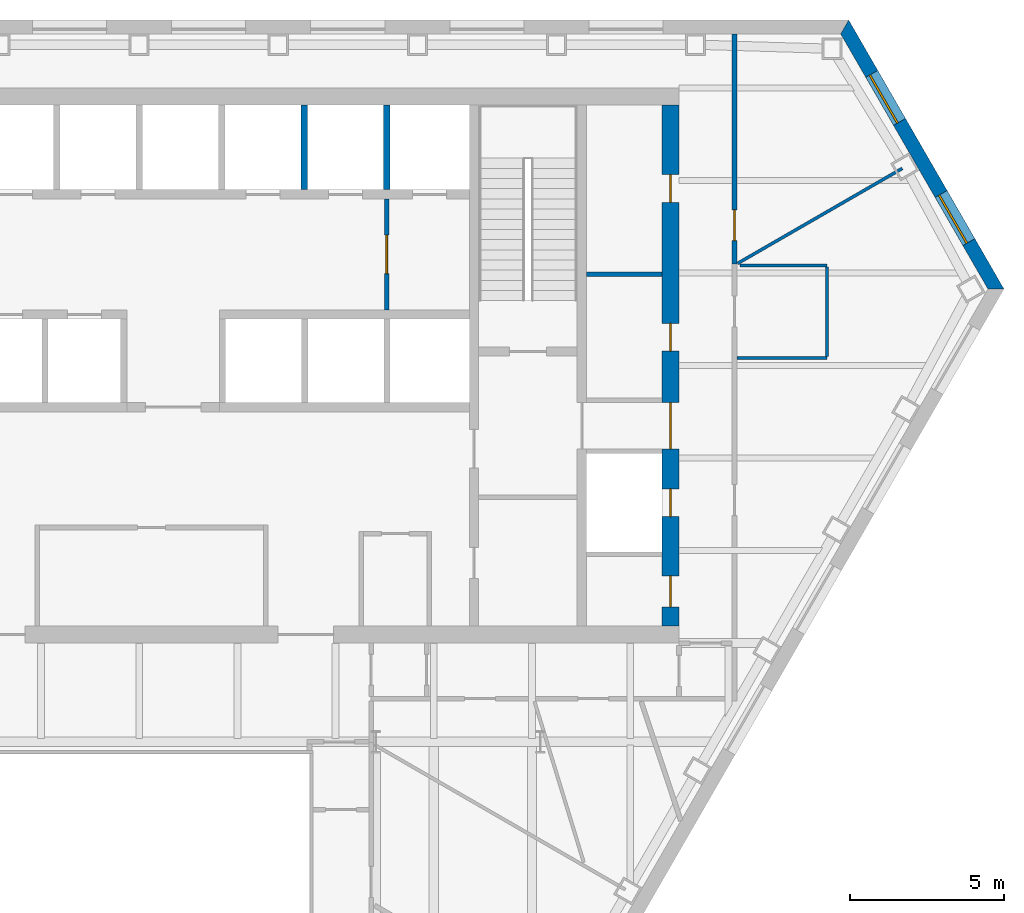
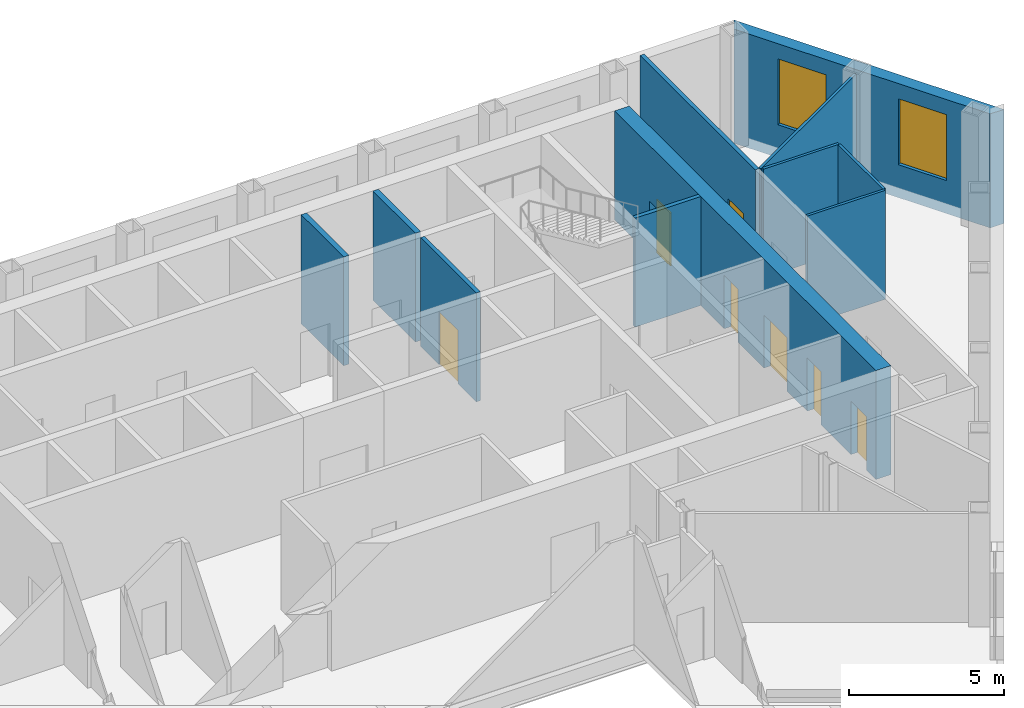
# One storey, part 8 of 11: 11 walls, 7 doors, 2 windows, 9 openings.
"""IFC4 building model written with IfcOpenShell, lengths in metres."""

from ifc_helpers import new_model, si_unit, direction, frame, frame_2d, origin, place, context, subcontext, project, spatial, polyline, rectangle, outline, extrude, material, layer, layer_set, type_object, element, fill, save


model = new_model("IFC4")

# Units and contexts
model_context = context("Model", 3, precision=1e-05, world=origin(), true_north=direction((0.0, 1.0)))
body_context = subcontext(model_context, "Body", "Model", "MODEL_VIEW")
ifc_project = project(units=[si_unit("LENGTHUNIT", "METRE"), si_unit("AREAUNIT", "SQUARE_METRE"), si_unit("VOLUMEUNIT", "CUBIC_METRE"), si_unit("PLANEANGLEUNIT", "RADIAN"), si_unit("MASSUNIT", "GRAM", prefix="KILO")], contexts=[model_context])

# Site, building, storey
site_placement = place(None, origin())
site = spatial("IfcSite", under=ifc_project, at=site_placement, CompositionType="ELEMENT")
building_placement = place(site_placement, origin())
building = spatial("IfcBuilding", under=site, at=building_placement, Name="Njiva Tower", CompositionType="ELEMENT")
storey_placement = place(building_placement, frame((0.0, 0.0, 106.8)))
storey = spatial("IfcBuildingStorey", under=building, at=storey_placement, Name="L22", CompositionType="ELEMENT", Elevation=106.8)

# Wall
ifc_material_1 = material(Name="Blockwork", Category="masonry")
ifc_layer_1 = layer(ifc_material_1, 0.15)
ifc_layer_set_1 = layer_set([ifc_layer_1], Name="Blockwork")
wall_type_1 = type_object("IfcWallType", Name="WT1 Compartment partition 150", PredefinedType="PARTITIONING", material=ifc_layer_set_1)
wall_1_placement = place(storey_placement, frame((14.5, 11.9527, 0.0), z_axis=(0.0, 0.0, 1.0), x_axis=(1.0, 0.0, 0.0)))
element("IfcWall", 1, at=wall_1_placement, inside=storey, type_object=wall_type_1, Name="Partition strip E10", PredefinedType="PARTITIONING", context=body_context, shape_type="SweptSolid", body=[
    extrude(rectangle(XDim=2.45, YDim=0.15, at=frame_2d((1.225, 0.0))), origin(), (0.0, 0.0, 1.0), 4.3),
])

# Wall, openings, doors
ifc_material_2 = material(Name="Concrete C60/75", Category="concrete")
ifc_layer_2 = layer(ifc_material_2, 0.55)
ifc_layer_set_2 = layer_set([ifc_layer_2], Name="Concrete C60/75")
wall_type_2 = type_object("IfcWallType", Name="WT14 Core wall 550", PredefinedType="SHEAR", material=ifc_layer_set_2)
wall_2_placement = place(storey_placement, frame((17.225, 0.55, 0.0), z_axis=(0.0, 0.0, 1.0), x_axis=(0.0, 1.0, 0.0)))
wall_2 = element("IfcWall", 2, at=wall_2_placement, inside=storey, type_object=wall_type_2, Name="Core wall east", PredefinedType="SHEAR", context=body_context, shape_type="SweptSolid", body=[
    extrude(rectangle(XDim=16.9, YDim=0.55, at=frame_2d((8.45, 0.0))), origin(), (0.0, 0.0, 1.0), 4.3),
])
opening_1_placement = place(wall_2_placement, frame((5.75, 0.0, 0.0)))
opening_1 = element("IfcOpeningElement", 3, at=opening_1_placement, cuts=wall_2, Name="Opening S07-D927", PredefinedType="OPENING", context=body_context, shape_type="SweptSolid", body=[
    extrude(rectangle(XDim=1.5, YDim=2.1, at=frame_2d((0.75, 1.05))), frame((0.0, 0.285, 0.0), z_axis=(0.0, -1.0, 0.0), x_axis=(1.0, 0.0, 0.0)), (0.0, 0.0, 1.0), 0.57),
])
opening_2_placement = place(wall_2_placement, frame((0.628, 0.0, 0.0)))
opening_2 = element("IfcOpeningElement", 4, at=opening_2_placement, cuts=wall_2, Name="Opening S07-D928", PredefinedType="OPENING", context=body_context, shape_type="SweptSolid", body=[
    extrude(rectangle(XDim=1.0, YDim=2.1, at=frame_2d((0.5, 1.05))), frame((0.0, 0.285, 0.0), z_axis=(0.0, -1.0, 0.0), x_axis=(1.0, 0.0, 0.0)), (0.0, 0.0, 1.0), 0.57),
])
opening_3_placement = place(wall_2_placement, frame((3.553, 0.0, 0.0)))
opening_3 = element("IfcOpeningElement", 5, at=opening_3_placement, cuts=wall_2, Name="Opening S07-D929", PredefinedType="OPENING", context=body_context, shape_type="SweptSolid", body=[
    extrude(rectangle(XDim=0.9, YDim=2.1, at=frame_2d((0.45, 1.05))), frame((0.0, 0.285, 0.0), z_axis=(0.0, -1.0, 0.0), x_axis=(1.0, 0.0, 0.0)), (0.0, 0.0, 1.0), 0.57),
])
opening_4_placement = place(wall_2_placement, frame((8.9139, 0.0, 0.0)))
opening_4 = element("IfcOpeningElement", 6, at=opening_4_placement, cuts=wall_2, Name="Opening S07-D930", PredefinedType="OPENING", context=body_context, shape_type="SweptSolid", body=[
    extrude(rectangle(XDim=0.9, YDim=2.1, at=frame_2d((0.45, 1.05))), frame((0.0, 0.285, 0.0), z_axis=(0.0, -1.0, 0.0), x_axis=(1.0, 0.0, 0.0)), (0.0, 0.0, 1.0), 0.57),
])
opening_5_placement = place(wall_2_placement, frame((13.7389, 0.0, 0.0)))
opening_5 = element("IfcOpeningElement", 7, at=opening_5_placement, cuts=wall_2, Name="Opening S07-D931", PredefinedType="OPENING", context=body_context, shape_type="SweptSolid", body=[
    extrude(rectangle(XDim=0.9, YDim=2.1, at=frame_2d((0.45, 1.05))), frame((0.0, 0.285, 0.0), z_axis=(0.0, -1.0, 0.0), x_axis=(1.0, 0.0, 0.0)), (0.0, 0.0, 1.0), 0.57),
])
ifc_material_3 = material(Name="Glazed steel fire door", Category="steel")
door_type_1 = type_object("IfcDoorType", Name="D10 Exit door double 1500x2100 glazed", OperationType="DOUBLE_DOOR_SINGLE_SWING", PredefinedType="DOOR", material=ifc_material_3)
door_1_placement = place(opening_1_placement, origin())
door_1 = element("IfcDoor", 8, at=door_1_placement, inside=storey, type_object=door_type_1, Name="Stair B corridor door", OperationType="DOUBLE_DOOR_SINGLE_SWING", OverallHeight=2.1, OverallWidth=1.5, PredefinedType="DOOR", context=body_context, shape_type="SweptSolid", body=[
    extrude(rectangle(XDim=1.5, YDim=2.1, at=frame_2d((0.75, 1.05))), frame((0.0, 0.025, 0.0), z_axis=(0.0, -1.0, 0.0), x_axis=(1.0, 0.0, 0.0)), (0.0, 0.0, 1.0), 0.05),
])
fill(opening_1, door_1)
ifc_material_4 = material(Name="Steel door, painted", Category="steel")
door_type_2 = type_object("IfcDoorType", Name="D4 Riser door 900x2100", OperationType="SINGLE_SWING_LEFT", PredefinedType="DOOR", material=ifc_material_4)
door_2_placement = place(opening_3_placement, origin())
door_2 = element("IfcDoor", 9, at=door_2_placement, inside=storey, type_object=door_type_2, Name="Riser door", OperationType="SINGLE_SWING_LEFT", OverallHeight=2.1, OverallWidth=0.9, PredefinedType="DOOR", context=body_context, shape_type="SweptSolid", body=[
    extrude(rectangle(XDim=0.9, YDim=2.1, at=frame_2d((0.45, 1.05))), frame((0.0, 0.025, 0.0), z_axis=(0.0, -1.0, 0.0), x_axis=(1.0, 0.0, 0.0)), (0.0, 0.0, 1.0), 0.05),
])
fill(opening_3, door_2)
door_type_3 = type_object("IfcDoorType", Name="D5 Steel door 1000x2100", OperationType="SINGLE_SWING_LEFT", PredefinedType="DOOR", material=ifc_material_4)
door_3_placement = place(opening_2_placement, origin())
door_3 = element("IfcDoor", 10, at=door_3_placement, inside=storey, type_object=door_type_3, Name="Telecoms room door", OperationType="SINGLE_SWING_RIGHT", OverallHeight=2.1, OverallWidth=1.0, PredefinedType="DOOR", context=body_context, shape_type="SweptSolid", body=[
    extrude(rectangle(XDim=1.0, YDim=2.1, at=frame_2d((0.5, 1.05))), frame((0.0, 0.025, 0.0), z_axis=(0.0, -1.0, 0.0), x_axis=(1.0, 0.0, 0.0)), (0.0, 0.0, 1.0), 0.05),
])
fill(opening_2, door_3)
ifc_material_5 = material(Name="Steel fire door, painted", Category="steel")
door_type_4 = type_object("IfcDoorType", Name="D6 Fire-rated door 900x2100", OperationType="SINGLE_SWING_LEFT", PredefinedType="DOOR", material=ifc_material_5)
door_4_placement = place(opening_4_placement, origin())
door_4 = element("IfcDoor", 11, at=door_4_placement, inside=storey, type_object=door_type_4, Name="Quiet room door", OperationType="SINGLE_SWING_LEFT", OverallHeight=2.1, OverallWidth=0.9, PredefinedType="DOOR", context=body_context, shape_type="SweptSolid", body=[
    extrude(rectangle(XDim=0.9, YDim=2.1, at=frame_2d((0.45, 1.05))), frame((0.0, 0.025, 0.0), z_axis=(0.0, -1.0, 0.0), x_axis=(1.0, 0.0, 0.0)), (0.0, 0.0, 1.0), 0.05),
])
fill(opening_4, door_4)
door_5_placement = place(opening_5_placement, origin())
door_5 = element("IfcDoor", 12, at=door_5_placement, inside=storey, type_object=door_type_4, Name="Prayer room door", OperationType="SINGLE_SWING_LEFT", OverallHeight=2.1, OverallWidth=0.9, PredefinedType="DOOR", context=body_context, shape_type="SweptSolid", body=[
    extrude(rectangle(XDim=0.9, YDim=2.1, at=frame_2d((0.45, 1.05))), frame((0.0, 0.025, 0.0), z_axis=(0.0, -1.0, 0.0), x_axis=(1.0, 0.0, 0.0)), (0.0, 0.0, 1.0), 0.05),
])
fill(opening_5, door_5)

# Wall, opening, door
ifc_layer_3 = layer(ifc_material_1, 0.15)
ifc_layer_set_3 = layer_set([ifc_layer_3], Name="Blockwork")
wall_type_3 = type_object("IfcWallType", Name="WT2 Lobby partition 150", PredefinedType="PARTITIONING", material=ifc_layer_set_3)
wall_3_placement = place(storey_placement, frame((8.025, 10.8, 0.0), z_axis=(0.0, 0.0, 1.0), x_axis=(0.0, 1.0, 0.0)))
wall_3 = element("IfcWall", 13, at=wall_3_placement, inside=storey, type_object=wall_type_3, Name="Firefighting lobby wall B", PredefinedType="PARTITIONING", context=body_context, shape_type="SweptSolid", body=[
    extrude(rectangle(XDim=3.6, YDim=0.15, at=frame_2d((1.8, 0.0))), origin(), (0.0, 0.0, 1.0), 4.3),
])
opening_6_placement = place(wall_3_placement, frame((1.175, 0.0, 0.0)))
opening_6 = element("IfcOpeningElement", 14, at=opening_6_placement, cuts=wall_3, Name="Opening S07-D916", PredefinedType="OPENING", context=body_context, shape_type="SweptSolid", body=[
    extrude(rectangle(XDim=1.25, YDim=2.1, at=frame_2d((0.625, 1.05))), frame((0.0, 0.085, 0.0), z_axis=(0.0, -1.0, 0.0), x_axis=(1.0, 0.0, 0.0)), (0.0, 0.0, 1.0), 0.17),
])
door_type_5 = type_object("IfcDoorType", Name="D8 Vestibule corridor door 1250x2100 glazed", OperationType="SINGLE_SWING_LEFT", PredefinedType="DOOR", material=ifc_material_3)
door_6_placement = place(opening_6_placement, origin())
door_6 = element("IfcDoor", 15, at=door_6_placement, inside=storey, type_object=door_type_5, Name="Stair vestibule corridor door", OperationType="SINGLE_SWING_LEFT", OverallHeight=2.1, OverallWidth=1.25, PredefinedType="DOOR", context=body_context, shape_type="SweptSolid", body=[
    extrude(rectangle(XDim=1.25, YDim=2.1, at=frame_2d((0.625, 1.05))), frame((0.0, 0.025, 0.0), z_axis=(0.0, -1.0, 0.0), x_axis=(1.0, 0.0, 0.0)), (0.0, 0.0, 1.0), 0.05),
])
fill(opening_6, door_6)

# Walls
ifc_material_6 = material(Name="Gypsum board on steel studs", Category="gypsum")
ifc_layer_4 = layer(ifc_material_6, 0.1)
ifc_layer_set_4 = layer_set([ifc_layer_4], Name="Gypsum board on steel studs")
wall_type_4 = type_object("IfcWallType", Name="WT20 Gypsum partition 100", PredefinedType="PARTITIONING", material=ifc_layer_set_4)
wall_4_placement = place(storey_placement, frame((19.375, 9.248, 0.0), z_axis=(0.0, 0.0, 1.0), x_axis=(1.0, 0.0, 0.0)))
element("IfcWall", 16, at=wall_4_placement, inside=storey, type_object=wall_type_4, Name="Partition S07-P032", PredefinedType="PARTITIONING", context=body_context, shape_type="SweptSolid", body=[
    extrude(rectangle(XDim=2.925, YDim=0.1, at=frame_2d((1.4625, 0.0))), origin(), (0.0, 0.0, 1.0), 4.3),
])
wall_5_placement = place(storey_placement, frame((19.4, 12.309, 0.0), z_axis=(0.0, 0.0, 1.0), x_axis=(0.866158571006, 0.499769276639, 0.0)))
element("IfcWall", 17, at=wall_5_placement, inside=storey, type_object=wall_type_4, Name="Partition S07-P033", PredefinedType="PARTITIONING", context=body_context, shape_type="SweptSolid", body=[
    extrude(rectangle(XDim=6.1628, YDim=0.1, at=frame_2d((3.0814, 0.0))), origin(), (0.0, 0.0, 1.0), 4.3),
])
wall_6_placement = place(storey_placement, frame((19.482, 12.248, 0.0), z_axis=(0.0, 0.0, 1.0), x_axis=(1.0, 0.0, 0.0)))
element("IfcWall", 18, at=wall_6_placement, inside=storey, type_object=wall_type_4, Name="Partition S07-P034", PredefinedType="PARTITIONING", context=body_context, shape_type="SweptSolid", body=[
    extrude(rectangle(XDim=2.818, YDim=0.1, at=frame_2d((1.409, 0.0))), origin(), (0.0, 0.0, 1.0), 4.3),
])
wall_7_placement = place(storey_placement, frame((22.3, 9.298, 0.0), z_axis=(0.0, 0.0, 1.0), x_axis=(0.0, 1.0, 0.0)))
element("IfcWall", 19, at=wall_7_placement, inside=storey, type_object=wall_type_4, Name="Partition S07-P035", PredefinedType="PARTITIONING", context=body_context, shape_type="SweptSolid", body=[
    extrude(rectangle(XDim=2.9, YDim=0.1, at=frame_2d((1.45, 0.0))), origin(), (0.0, 0.0, 1.0), 4.3),
])

# Wall, opening, door
ifc_layer_5 = layer(ifc_material_6, 0.15)
ifc_layer_set_5 = layer_set([ifc_layer_5], Name="Gypsum board on steel studs")
wall_type_5 = type_object("IfcWallType", Name="WT21 Compartment wall 150", PredefinedType="PARTITIONING", material=ifc_layer_set_5)
wall_8_placement = place(storey_placement, frame((19.3, 12.298, 0.0), z_axis=(0.0, 0.0, 1.0), x_axis=(0.0, 1.0, 0.0)))
wall_8 = element("IfcWall", 20, at=wall_8_placement, inside=storey, type_object=wall_type_5, Name="Partition S07-P031", PredefinedType="PARTITIONING", context=body_context, shape_type="SweptSolid", body=[
    extrude(rectangle(XDim=7.451, YDim=0.15, at=frame_2d((3.7255, 0.0))), origin(), (0.0, 0.0, 1.0), 4.3),
])
opening_7_placement = place(wall_8_placement, frame((0.75, 0.0, 0.0)))
opening_7 = element("IfcOpeningElement", 21, at=opening_7_placement, cuts=wall_8, Name="Opening S07-D021", PredefinedType="OPENING", context=body_context, shape_type="SweptSolid", body=[
    extrude(rectangle(XDim=1.0, YDim=2.1, at=frame_2d((0.5, 1.05))), frame((0.0, 0.085, 0.0), z_axis=(0.0, -1.0, 0.0), x_axis=(1.0, 0.0, 0.0)), (0.0, 0.0, 1.0), 0.17),
])
ifc_material_7 = material(Name="Steel fire door set", Category="steel")
door_type_6 = type_object("IfcDoorType", Name="D37 Fire door 1000x2100", OperationType="SINGLE_SWING_LEFT", PredefinedType="DOOR", material=ifc_material_7)
door_7_placement = place(opening_7_placement, origin())
door_7 = element("IfcDoor", 22, at=door_7_placement, inside=storey, type_object=door_type_6, Name="Door S07-D021", OperationType="SINGLE_SWING_LEFT", OverallHeight=2.1, OverallWidth=1.0, PredefinedType="DOOR", context=body_context, shape_type="SweptSolid", body=[
    extrude(rectangle(XDim=1.0, YDim=2.1, at=frame_2d((0.5, 1.05))), frame((0.0, 0.025, 0.0), z_axis=(0.0, -1.0, 0.0), x_axis=(1.0, 0.0, 0.0)), (0.0, 0.0, 1.0), 0.05),
])
fill(opening_7, door_7)

# Walls
ifc_material_8 = material(Name="Concrete C40/50", Category="concrete")
ifc_layer_6 = layer(ifc_material_8, 0.2)
ifc_layer_set_6 = layer_set([ifc_layer_6], Name="Concrete C40/50")
wall_type_6 = type_object("IfcWallType", Name="WT6 Lift shaft wall 200", PredefinedType="SHEAR", material=ifc_layer_set_6)
for number, where, z_axis, x_axis, name in (
    (23, (5.35, 14.7, 0.0), (0.0, 0.0, 1.0), (0.0, 1.0, 0.0), "Shaft wall CN6"),
    (24, (8.025, 14.7, 0.0), (0.0, 0.0, 1.0), (0.0, 1.0, 0.0), "Shaft wall CN7"),
):
    element("IfcWall", number, at=place(storey_placement, frame(where, z_axis=z_axis, x_axis=x_axis)), inside=storey, type_object=wall_type_6, Name=name, PredefinedType="SHEAR", context=body_context, shape_type="SweptSolid", body=[
        extrude(rectangle(XDim=2.75, YDim=0.2, at=frame_2d((1.375, 0.0))), origin(), (0.0, 0.0, 1.0), 4.3),
    ])

# Wall, openings, windows
ifc_material_9 = material(Name="Brick masonry, buff", Category="masonry")
ifc_layer_7 = layer(ifc_material_9, 0.45)
ifc_layer_set_7 = layer_set([ifc_layer_7], Name="Brick masonry, buff")
wall_type_7 = type_object("IfcWallType", Name="WT94 Brick pier and spandrel wall 450, buff", PredefinedType="SOLIDWALL", material=ifc_layer_set_7)
wall_9_placement = place(storey_placement, frame((27.7752, 11.4791, -0.4), z_axis=(0.0, 0.0, 1.0), x_axis=(-0.499999223869, 0.866025851883, 0.0)))
wall_9 = element("IfcWall", 25, at=wall_9_placement, inside=storey, type_object=wall_type_7, Name="Facade wall NE", PredefinedType="SOLIDWALL", context=body_context, shape_type="SweptSolid", body=[
    extrude(outline(polyline([(-0.1299, -0.225), (9.9401, -0.225), (9.6803, 0.225), (0.1299, 0.225), (-0.1299, -0.225)])), origin(), (0.0, 0.0, 1.0), 4.5),
])
opening_8_placement = place(wall_9_placement, frame((1.7569, 0.0, 1.3)))
opening_8 = element("IfcOpeningElement", 26, at=opening_8_placement, cuts=wall_9, Name="Opening S07-W33", PredefinedType="OPENING", context=body_context, shape_type="SweptSolid", body=[
    extrude(rectangle(XDim=1.8, YDim=2.6, at=frame_2d((0.9, 1.3))), frame((0.0, 0.235, 0.0), z_axis=(0.0, -1.0, 0.0), x_axis=(1.0, 0.0, 0.0)), (0.0, 0.0, 1.0), 0.47),
])
opening_9_placement = place(wall_9_placement, frame((6.2532, 0.0, 1.3)))
opening_9 = element("IfcOpeningElement", 27, at=opening_9_placement, cuts=wall_9, Name="Opening S07-W34", PredefinedType="OPENING", context=body_context, shape_type="SweptSolid", body=[
    extrude(rectangle(XDim=1.8, YDim=2.6, at=frame_2d((0.9, 1.3))), frame((0.0, 0.235, 0.0), z_axis=(0.0, -1.0, 0.0), x_axis=(1.0, 0.0, 0.0)), (0.0, 0.0, 1.0), 0.47),
])
ifc_material_10 = material(Name="Clear glazing in aluminium frame", Category="aluminium")
window_type = type_object("IfcWindowType", Name="W96 Deep-set window 1800x2600", PartitioningType="SINGLE_PANEL", PredefinedType="WINDOW", material=ifc_material_10)
window_1_placement = place(opening_8_placement, origin())
window_1 = element("IfcWindow", 28, at=window_1_placement, inside=storey, type_object=window_type, Name="Window", OverallHeight=2.6, OverallWidth=1.8, PartitioningType="SINGLE_PANEL", PredefinedType="WINDOW", context=body_context, shape_type="SweptSolid", body=[
    extrude(rectangle(XDim=1.8, YDim=2.6, at=frame_2d((0.9, 1.3))), frame((0.0, 0.105, 0.0), z_axis=(0.0, -1.0, 0.0), x_axis=(1.0, 0.0, 0.0)), (0.0, 0.0, 1.0), 0.06),
])
fill(opening_8, window_1)
window_2_placement = place(opening_9_placement, origin())
window_2 = element("IfcWindow", 29, at=window_2_placement, inside=storey, type_object=window_type, Name="Window", OverallHeight=2.6, OverallWidth=1.8, PartitioningType="SINGLE_PANEL", PredefinedType="WINDOW", context=body_context, shape_type="SweptSolid", body=[
    extrude(rectangle(XDim=1.8, YDim=2.6, at=frame_2d((0.9, 1.3))), frame((0.0, 0.105, 0.0), z_axis=(0.0, -1.0, 0.0), x_axis=(1.0, 0.0, 0.0)), (0.0, 0.0, 1.0), 0.06),
])
fill(opening_9, window_2)

save(model, "model.ifc")
